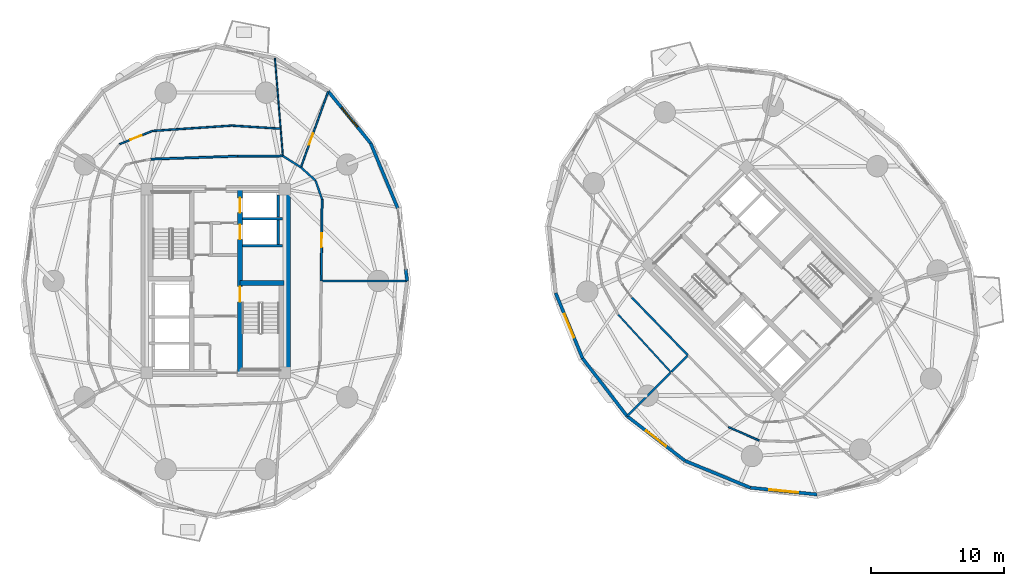
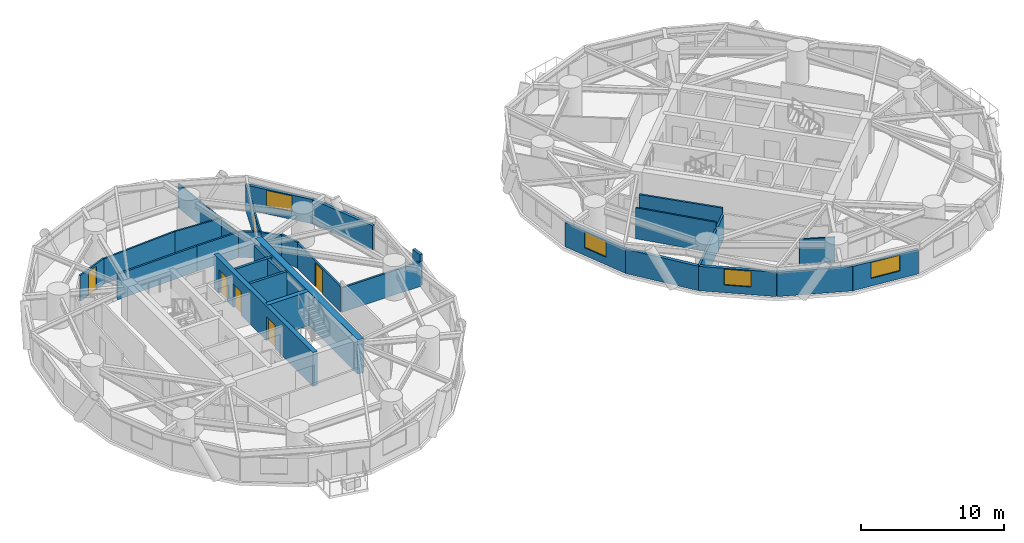
# One storey, part 9 of 15: 31 walls, 6 doors, 4 windows, 10 openings.
"""IFC4 building model written with IfcOpenShell, lengths in metres."""

from ifc_helpers import new_model, si_unit, direction, frame, frame_2d, origin, place, context, subcontext, project, spatial, rectangle, extrude, source, transform, mapped, material, layer, layer_set, type_object, element, fill, save


model = new_model("IFC4")

# Units and contexts
model_context = context("Model", 3, precision=1e-05, world=origin(), true_north=direction((0.0, 1.0)))
body_context = subcontext(model_context, "Body", "Model", "MODEL_VIEW")
ifc_project = project(units=[si_unit("LENGTHUNIT", "METRE"), si_unit("AREAUNIT", "SQUARE_METRE"), si_unit("VOLUMEUNIT", "CUBIC_METRE"), si_unit("PLANEANGLEUNIT", "RADIAN"), si_unit("MASSUNIT", "GRAM", prefix="KILO")], contexts=[model_context])

# Site, building, storey
site_placement = place(None, origin())
site = spatial("IfcSite", under=ifc_project, at=site_placement, CompositionType="ELEMENT")
building_placement = place(site_placement, origin())
building = spatial("IfcBuilding", under=site, at=building_placement, Name="Cununo Teusaquillo Station Towers", CompositionType="ELEMENT")
storey_placement = place(building_placement, frame((0.0, 0.0, 24.909912109375)))
storey = spatial("IfcBuildingStorey", under=building, at=storey_placement, Name="L06", CompositionType="ELEMENT", Elevation=24.909912109375)

# Walls
ifc_material_1 = material(Name="Concrete C50/60", Category="concrete")
ifc_layer_1 = layer(ifc_material_1, 0.199951171875)
ifc_layer_set_1 = layer_set([ifc_layer_1], Name="Concrete C50/60")
wall_type_1 = type_object("IfcWallType", Name="WL-CORE-200", PredefinedType="SHEAR", material=ifc_layer_set_1)
for number, where, z_axis, x_axis, name in (
    (1, (18.510009765625, 27.1298828125, 0.0), (0.0, 0.0, 1.0), (1.0, 0.0, 0.0), "L06 Tower A Low-Rise Lift Hoistway South Shear Wall"),
    (2, (18.510009765625, 29.175048828125, 0.0), (0.0, 0.0, 1.0), (1.0, 0.0, 0.0), "L06 Tower A Low-Rise Lift Hoistway Divider Shear Wall"),
):
    element("IfcWall", number, at=place(storey_placement, frame(where, z_axis=z_axis, x_axis=x_axis)), inside=storey, type_object=wall_type_1, Name=name, PredefinedType="SHEAR", context=body_context, shape_type="SweptSolid", body=[
        extrude(rectangle(XDim=2.969970703125, YDim=0.199951171875, at=frame_2d((1.48486328125, 0.0))), origin(), (0.0, 0.0, 1.0), 2.91015625),
    ])
wall_1_placement = place(storey_placement, frame((21.179931640625, 27.25, 0.0), z_axis=(0.0, 0.0, 1.0), x_axis=(0.0, 1.0, 0.0)))
element("IfcWall", 3, at=wall_1_placement, inside=storey, type_object=wall_type_1, Name="L06 Tower A Low-Rise Lift 1 Shaft Rear Shear Wall", PredefinedType="SHEAR", context=body_context, shape_type="SweptSolid", body=[
    extrude(rectangle(XDim=1.804931640625, YDim=0.199951171875, at=frame_2d((0.90234375, 0.0))), origin(), (0.0, 0.0, 1.0), 2.91015625),
])
wall_2_placement = place(storey_placement, frame((21.179931640625, 29.294921875, 0.0), z_axis=(0.0, 0.0, 1.0), x_axis=(0.0, 1.0, 0.0)))
element("IfcWall", 4, at=wall_2_placement, inside=storey, type_object=wall_type_1, Name="L06 Tower A Low-Rise Lift 2 Shaft Rear Shear Wall", PredefinedType="SHEAR", context=body_context, shape_type="SweptSolid", body=[
    extrude(rectangle(XDim=1.635009765625, YDim=0.199951171875, at=frame_2d((0.8173828125, 0.0))), origin(), (0.0, 0.0, 1.0), 2.91015625),
])

# Wall, openings, doors
ifc_material_2 = material(Name="Concrete C50/60", Category="concrete")
ifc_layer_2 = layer(ifc_material_2, 0.35009765625)
ifc_layer_set_2 = layer_set([ifc_layer_2], Name="Concrete C50/60")
wall_type_2 = type_object("IfcWallType", Name="WL-CORE-350", PredefinedType="SHEAR", material=ifc_layer_set_2)
wall_3_placement = place(storey_placement, frame((18.31494140625, 17.60009765625, 0.0), z_axis=(0.0, 0.0, 1.0), x_axis=(0.0, 1.0, 0.0)))
wall_3 = element("IfcWall", 5, at=wall_3_placement, inside=storey, type_object=wall_type_2, Name="L06 Tower A Core Shear Wall IE", PredefinedType="SHEAR", context=body_context, shape_type="SweptSolid", body=[
    extrude(rectangle(XDim=13.7998046875, YDim=0.35009765625, at=frame_2d((6.89990234375, 0.0))), origin(), (0.0, 0.0, 1.0), 2.91015625),
])
shared_shape_1 = source(origin(), body_context, "Body", "SweptSolid", [
    extrude(rectangle(XDim=1.10009765625, YDim=2.014892578125, at=frame_2d((0.550048828125, 1.00732421875))), frame((0.0, 0.18505859375, 0.0), z_axis=(0.0, -1.0, 0.0), x_axis=(1.0, 0.0, 0.0)), (0.0, 0.0, 1.0), 0.3701171875),
])
opening_1_placement = place(wall_3_placement, frame((10.02490234375, 0.0, 0.0)))
opening_1 = element("IfcOpeningElement", 6, at=opening_1_placement, cuts=wall_3, Name="Opening LD-01", PredefinedType="OPENING", context=body_context, shape_type="MappedRepresentation", body=[
    mapped(shared_shape_1, transform((0.0, 0.0, 0.0), x_axis=(1.0, 0.0, 0.0), y_axis=(0.0, 1.0, 0.0), z_axis=(0.0, 0.0, 1.0), scale=1.0)),
])
opening_2_placement = place(wall_3_placement, frame((12.02490234375, 0.0, 0.0)))
opening_2 = element("IfcOpeningElement", 7, at=opening_2_placement, cuts=wall_3, Name="Opening LD-01", PredefinedType="OPENING", context=body_context, shape_type="MappedRepresentation", body=[
    mapped(shared_shape_1, transform((0.0, 0.0, 0.0), x_axis=(1.0, 0.0, 0.0), y_axis=(0.0, 1.0, 0.0), z_axis=(0.0, 0.0, 1.0), scale=1.0)),
])
shared_shape_2 = source(origin(), body_context, "Body", "SweptSolid", [
    extrude(rectangle(XDim=1.14990234375, YDim=2.02001953125, at=frame_2d((0.574951171875, 1.010009765625))), frame((0.0, 0.18505859375, 0.0), z_axis=(0.0, -1.0, 0.0), x_axis=(1.0, 0.0, 0.0)), (0.0, 0.0, 1.0), 0.3701171875),
])
opening_3_placement = place(wall_3_placement, frame((5.330078125, 0.0, 0.0)))
opening_3 = element("IfcOpeningElement", 8, at=opening_3_placement, cuts=wall_3, Name="Opening D-ST1", PredefinedType="OPENING", context=body_context, shape_type="MappedRepresentation", body=[
    mapped(shared_shape_2, transform((0.0, 0.0, 0.0), x_axis=(1.0, 0.0, 0.0), y_axis=(0.0, 1.0, 0.0), z_axis=(0.0, 0.0, 1.0), scale=1.0)),
])
ifc_material_3 = material(Name="Galvanised fire-rated hollow steel door assembly", Category="steel")
door_type_1 = type_object("IfcDoorType", Name="DR-LIFT-1100", OperationType="SLIDING_TO_LEFT", PredefinedType="DOOR", material=ifc_material_3)
shared_shape_3 = source(origin(), body_context, "Body", "SweptSolid", [
    extrude(rectangle(XDim=1.10009765625, YDim=2.014892578125, at=frame_2d((0.550048828125, 1.00732421875))), frame((0.0, 0.02490234375, 0.0), z_axis=(0.0, -1.0, 0.0), x_axis=(1.0, 0.0, 0.0)), (0.0, 0.0, 1.0), 0.050048828125),
])
door_1_placement = place(opening_1_placement, origin())
door_1 = element("IfcDoor", 9, at=door_1_placement, inside=storey, type_object=door_type_1, Name="L06 Lift PL-T1-L1 Sliding Landing Door", OperationType="SLIDING_TO_RIGHT", OverallHeight=2.014892578125, OverallWidth=1.10009765625, PredefinedType="DOOR", context=body_context, shape_type="MappedRepresentation", body=[
    mapped(shared_shape_3, transform((0.0, 0.0, 0.0), x_axis=(1.0, 0.0, 0.0), y_axis=(0.0, 1.0, 0.0), z_axis=(0.0, 0.0, 1.0), scale=1.0)),
])
fill(opening_1, door_1)
door_2_placement = place(opening_2_placement, origin())
door_2 = element("IfcDoor", 10, at=door_2_placement, inside=storey, type_object=door_type_1, Name="L06 Lift PL-T1-L2 Sliding Landing Door", OperationType="SLIDING_TO_LEFT", OverallHeight=2.014892578125, OverallWidth=1.10009765625, PredefinedType="DOOR", context=body_context, shape_type="MappedRepresentation", body=[
    mapped(shared_shape_3, transform((0.0, 0.0, 0.0), x_axis=(1.0, 0.0, 0.0), y_axis=(0.0, 1.0, 0.0), z_axis=(0.0, 0.0, 1.0), scale=1.0)),
])
fill(opening_2, door_2)
ifc_material_4 = material(Name="Galvanised fire-rated hollow steel door assembly", Category="steel")
door_type_2 = type_object("IfcDoorType", Name="DR-STAIR-1150", OperationType="NOTDEFINED", PredefinedType="DOOR", material=ifc_material_4)
shared_shape_4 = source(origin(), body_context, "Body", "SweptSolid", [
    extrude(rectangle(XDim=1.14990234375, YDim=2.02001953125, at=frame_2d((0.574951171875, 1.010009765625))), frame((0.0, 0.02490234375, 0.0), z_axis=(0.0, -1.0, 0.0), x_axis=(1.0, 0.0, 0.0)), (0.0, 0.0, 1.0), 0.050048828125),
])
door_3_placement = place(opening_3_placement, origin())
door_3 = element("IfcDoor", 11, at=door_3_placement, inside=storey, type_object=door_type_2, Name="L06 Tower A Exit Stair 2 Fire Door", OperationType="SINGLE_SWING_LEFT", OverallHeight=2.02001953125, OverallWidth=1.14990234375, PredefinedType="DOOR", context=body_context, shape_type="MappedRepresentation", body=[
    mapped(shared_shape_4, transform((0.0, 0.0, 0.0), x_axis=(1.0, 0.0, 0.0), y_axis=(0.0, 1.0, 0.0), z_axis=(0.0, 0.0, 1.0), scale=1.0)),
])
fill(opening_3, door_3)

# Walls
wall_4_placement = place(storey_placement, frame((18.31494140625, 24.344970703125, 0.0), z_axis=(0.0, 0.0, 1.0), x_axis=(1.0, 0.0, 0.0)))
element("IfcWall", 12, at=wall_4_placement, inside=storey, type_object=wall_type_2, Name="L06 Tower A Core Shear Wall ST2N", PredefinedType="SHEAR", context=body_context, shape_type="SweptSolid", body=[
    extrude(rectangle(XDim=3.28515625, YDim=0.35009765625, at=frame_2d((1.642578125, 0.0))), origin(), (0.0, 0.0, 1.0), 2.91015625),
])
ifc_material_5 = material(Name="Concrete C60/75", Category="concrete")
ifc_layer_3 = layer(ifc_material_5, 0.5)
ifc_layer_set_3 = layer_set([ifc_layer_3], Name="Concrete C60/75")
wall_type_3 = type_object("IfcWallType", Name="WL-CORE-500", PredefinedType="SHEAR", material=ifc_layer_set_3)
wall_5_placement = place(storey_placement, frame((21.85009765625, 17.35009765625, 0.0), z_axis=(0.0, 0.0, 1.0), x_axis=(0.0, 1.0, 0.0)))
element("IfcWall", 13, at=wall_5_placement, inside=storey, type_object=wall_type_3, Name="L06 Tower A Core Shear Wall E", PredefinedType="SHEAR", context=body_context, shape_type="SweptSolid", body=[
    extrude(rectangle(XDim=14.2998046875, YDim=0.5, at=frame_2d((7.14990234375, 0.0))), origin(), (0.0, 0.0, 1.0), 2.91015625),
])
ifc_material_6 = material(Name="Precast concrete C40/50", Category="concrete")
ifc_layer_4 = layer(ifc_material_6, 0.239990234375)
ifc_layer_set_4 = layer_set([ifc_layer_4], Name="Precast concrete C40/50")
wall_type_4 = type_object("IfcWallType", Name="WL-EXT-240", PredefinedType="SOLIDWALL", material=ifc_layer_set_4)
wall_6_placement = place(storey_placement, frame((30.7392578125, 25.36279296875, 0.0), z_axis=(0.0, 0.0, 1.0), x_axis=(0.128523364007, -0.991706481225, 0.0)))
element("IfcWall", 14, at=wall_6_placement, inside=storey, type_object=wall_type_4, Name="L06 Tower A Column Pier Cladding Wall C00-PB", PredefinedType="SOLIDWALL", context=body_context, shape_type="SweptSolid", body=[
    extrude(rectangle(XDim=0.8701171875, YDim=0.239990234375, at=frame_2d((0.43505859375, 0.0))), origin(), (0.0, 0.0, 1.0), 2.635009765625),
])
wall_7_placement = place(storey_placement, frame((28.110107421875, 34.827392578125, 0.0), z_axis=(0.0, 0.0, 1.0), x_axis=(0.384255919668, -0.923226618009, 0.0)))
element("IfcWall", 15, at=wall_7_placement, inside=storey, type_object=wall_type_4, Name="L06 Tower A Exterior Facade Wall C01", PredefinedType="SOLIDWALL", context=body_context, shape_type="SweptSolid", body=[
    extrude(rectangle(XDim=5.30517578125, YDim=0.239990234375, at=frame_2d((2.652587890625, 0.0))), origin(), (0.0, 0.0, 1.0), 2.072998046875),
])

# Wall, opening, window
wall_8_placement = place(storey_placement, frame((24.935302734375, 38.71435546875, 0.0), z_axis=(0.0, 0.0, 1.0), x_axis=(0.632588557044, -0.774488035735, 0.0)))
wall_8 = element("IfcWall", 16, at=wall_8_placement, inside=storey, type_object=wall_type_4, Name="L06 Tower A Exterior Facade Wall C02", PredefinedType="SOLIDWALL", context=body_context, shape_type="SweptSolid", body=[
    extrude(rectangle(XDim=5.018798828125, YDim=0.239990234375, at=frame_2d((2.50927734375, 0.0))), origin(), (0.0, 0.0, 1.0), 2.072998046875),
])
shared_shape_5 = source(origin(), body_context, "Body", "SweptSolid", [
    extrude(rectangle(XDim=1.89990234375, YDim=1.35009765625, at=frame_2d((0.949951171875, 0.675048828125))), frame((0.0, 0.1298828125, 0.0), z_axis=(0.0, -1.0, 0.0), x_axis=(1.0, 0.0, 0.0)), (0.0, 0.0, 1.0), 0.260009765625),
])
opening_4_placement = place(wall_8_placement, frame((1.55908203125, 0.0, 0.64990234375)))
opening_4 = element("IfcOpeningElement", 17, at=opening_4_placement, cuts=wall_8, Name="Opening WN-02", PredefinedType="OPENING", context=body_context, shape_type="MappedRepresentation", body=[
    mapped(shared_shape_5, transform((0.0, 0.0, 0.0), x_axis=(1.0, 0.0, 0.0), y_axis=(0.0, 1.0, 0.0), z_axis=(0.0, 0.0, 1.0), scale=1.0)),
])
ifc_material_7 = material(Name="Operable acoustic tinted low-E double glazing", Category="glass")
window_type_1 = type_object("IfcWindowType", Name="WIN-OPER-1900", PartitioningType="DOUBLE_PANEL_VERTICAL", PredefinedType="WINDOW", material=ifc_material_7)
shared_shape_6 = source(origin(), body_context, "Body", "SweptSolid", [
    extrude(rectangle(XDim=1.89990234375, YDim=1.35009765625, at=frame_2d((0.949951171875, 0.675048828125))), frame((0.0, 0.030029296875, 0.0), z_axis=(0.0, -1.0, 0.0), x_axis=(1.0, 0.0, 0.0)), (0.0, 0.0, 1.0), 0.06005859375),
])
window_1_placement = place(opening_4_placement, origin())
window_1 = element("IfcWindow", 18, at=window_1_placement, inside=storey, type_object=window_type_1, Name="L06 Tower A Facade Window C02", OverallHeight=1.35009765625, OverallWidth=1.89990234375, PartitioningType="DOUBLE_PANEL_VERTICAL", PredefinedType="WINDOW", context=body_context, shape_type="MappedRepresentation", body=[
    mapped(shared_shape_6, transform((0.0, 0.0, 0.0), x_axis=(1.0, 0.0, 0.0), y_axis=(0.0, 1.0, 0.0), z_axis=(0.0, 0.0, 1.0), scale=1.0)),
])
fill(opening_4, window_1)

wall_9_placement = place(storey_placement, frame((44.009765625, 18.68798828125, 0.0), z_axis=(0.0, 0.0, 1.0), x_axis=(-0.381113147118, 0.924528403616, 0.0)))
wall_9 = element("IfcWall", 19, at=wall_9_placement, inside=storey, type_object=wall_type_4, Name="L06 Tower B Exterior Facade Wall C08", PredefinedType="SOLIDWALL", context=body_context, shape_type="SweptSolid", body=[
    extrude(rectangle(XDim=5.305419921875, YDim=0.239990234375, at=frame_2d((2.65283203125, 0.0))), origin(), (0.0, 0.0, 1.0), 2.072998046875),
])
opening_5_placement = place(wall_9_placement, frame((1.702880859375, 0.0, 0.64990234375)))
opening_5 = element("IfcOpeningElement", 20, at=opening_5_placement, cuts=wall_9, Name="Opening WN-02", PredefinedType="OPENING", context=body_context, shape_type="MappedRepresentation", body=[
    mapped(shared_shape_5, transform((0.0, 0.0, 0.0), x_axis=(1.0, 0.0, 0.0), y_axis=(0.0, 1.0, 0.0), z_axis=(0.0, 0.0, 1.0), scale=1.0)),
])
window_2_placement = place(opening_5_placement, origin())
window_2 = element("IfcWindow", 21, at=window_2_placement, inside=storey, type_object=window_type_1, Name="L06 Tower B Facade Window C08", OverallHeight=1.35009765625, OverallWidth=1.89990234375, PartitioningType="DOUBLE_PANEL_VERTICAL", PredefinedType="WINDOW", context=body_context, shape_type="MappedRepresentation", body=[
    mapped(shared_shape_6, transform((0.0, 0.0, 0.0), x_axis=(1.0, 0.0, 0.0), y_axis=(0.0, 1.0, 0.0), z_axis=(0.0, 0.0, 1.0), scale=1.0)),
])
fill(opening_5, window_2)

# Wall
wall_10_placement = place(storey_placement, frame((47.352294921875, 14.352294921875, 0.0), z_axis=(0.0, 0.0, 1.0), x_axis=(-0.610557396243, 0.791972010801, 0.0)))
element("IfcWall", 22, at=wall_10_placement, inside=storey, type_object=wall_type_4, Name="L06 Tower B Exterior Facade Wall C09", PredefinedType="SOLIDWALL", context=body_context, shape_type="SweptSolid", body=[
    extrude(rectangle(XDim=5.474609375, YDim=0.239990234375, at=frame_2d((2.7373046875, 0.0))), origin(), (0.0, 0.0, 1.0), 2.072998046875),
])

# Wall, opening, window
wall_11_placement = place(storey_placement, frame((51.68798828125, 11.009765625, 0.0), z_axis=(0.0, 0.0, 1.0), x_axis=(-0.791972010801, 0.610557396243, 0.0)))
wall_11 = element("IfcWall", 23, at=wall_11_placement, inside=storey, type_object=wall_type_4, Name="L06 Tower B Exterior Facade Wall C10", PredefinedType="SOLIDWALL", context=body_context, shape_type="SweptSolid", body=[
    extrude(rectangle(XDim=5.474609375, YDim=0.239990234375, at=frame_2d((2.7373046875, 0.0))), origin(), (0.0, 0.0, 1.0), 2.072998046875),
])
opening_6_placement = place(wall_11_placement, frame((1.787109375, 0.0, 0.64990234375)))
opening_6 = element("IfcOpeningElement", 24, at=opening_6_placement, cuts=wall_11, Name="Opening WN-02", PredefinedType="OPENING", context=body_context, shape_type="MappedRepresentation", body=[
    mapped(shared_shape_5, transform((0.0, 0.0, 0.0), x_axis=(1.0, 0.0, 0.0), y_axis=(0.0, 1.0, 0.0), z_axis=(0.0, 0.0, 1.0), scale=1.0)),
])
window_3_placement = place(opening_6_placement, origin())
window_3 = element("IfcWindow", 25, at=window_3_placement, inside=storey, type_object=window_type_1, Name="L06 Tower B Facade Window C10", OverallHeight=1.35009765625, OverallWidth=1.89990234375, PartitioningType="DOUBLE_PANEL_VERTICAL", PredefinedType="WINDOW", context=body_context, shape_type="MappedRepresentation", body=[
    mapped(shared_shape_6, transform((0.0, 0.0, 0.0), x_axis=(1.0, 0.0, 0.0), y_axis=(0.0, 1.0, 0.0), z_axis=(0.0, 0.0, 1.0), scale=1.0)),
])
fill(opening_6, window_3)

# Wall
wall_12_placement = place(storey_placement, frame((56.593017578125, 8.98779296875, 0.0), z_axis=(0.0, 0.0, 1.0), x_axis=(-0.924528403616, 0.381113147118, 0.0)))
element("IfcWall", 26, at=wall_12_placement, inside=storey, type_object=wall_type_4, Name="L06 Tower B Exterior Facade Wall C11", PredefinedType="SOLIDWALL", context=body_context, shape_type="SweptSolid", body=[
    extrude(rectangle(XDim=5.305419921875, YDim=0.239990234375, at=frame_2d((2.65283203125, 0.0))), origin(), (0.0, 0.0, 1.0), 2.072998046875),
])

# Wall, opening, window
wall_13_placement = place(storey_placement, frame((61.58642578125, 8.484130859375, 0.0), z_axis=(0.0, 0.0, 1.0), x_axis=(-0.994951574538, 0.100356187272, 0.0)))
wall_13 = element("IfcWall", 27, at=wall_13_placement, inside=storey, type_object=wall_type_4, Name="L06 Tower B Exterior Facade Wall C12", PredefinedType="SOLIDWALL", context=body_context, shape_type="SweptSolid", body=[
    extrude(rectangle(XDim=5.018798828125, YDim=0.239990234375, at=frame_2d((2.50927734375, 0.0))), origin(), (0.0, 0.0, 1.0), 2.072998046875),
])
shared_shape_7 = source(origin(), body_context, "Body", "SweptSolid", [
    extrude(rectangle(XDim=2.199951171875, YDim=1.35009765625, at=frame_2d((1.10009765625, 0.675048828125))), frame((0.0, 0.1298828125, 0.0), z_axis=(0.0, -1.0, 0.0), x_axis=(1.0, 0.0, 0.0)), (0.0, 0.0, 1.0), 0.260009765625),
])
opening_7_placement = place(wall_13_placement, frame((1.408935546875, 0.0, 0.64990234375)))
opening_7 = element("IfcOpeningElement", 28, at=opening_7_placement, cuts=wall_13, Name="Opening WN-01", PredefinedType="OPENING", context=body_context, shape_type="MappedRepresentation", body=[
    mapped(shared_shape_7, transform((0.0, 0.0, 0.0), x_axis=(1.0, 0.0, 0.0), y_axis=(0.0, 1.0, 0.0), z_axis=(0.0, 0.0, 1.0), scale=1.0)),
])
ifc_material_8 = material(Name="Ceramic-fritted dark low-E double glazing", Category="glass")
window_type_2 = type_object("IfcWindowType", Name="WIN-FRIT-2200", PartitioningType="DOUBLE_PANEL_VERTICAL", PredefinedType="WINDOW", material=ifc_material_8)
shared_shape_8 = source(origin(), body_context, "Body", "SweptSolid", [
    extrude(rectangle(XDim=2.199951171875, YDim=1.35009765625, at=frame_2d((1.10009765625, 0.675048828125))), frame((0.0, 0.030029296875, 0.0), z_axis=(0.0, -1.0, 0.0), x_axis=(1.0, 0.0, 0.0)), (0.0, 0.0, 1.0), 0.06005859375),
])
window_4_placement = place(opening_7_placement, origin())
window_4 = element("IfcWindow", 29, at=window_4_placement, inside=storey, type_object=window_type_2, Name="L06 Tower B Facade Window C12", OverallHeight=1.35009765625, OverallWidth=2.199951171875, PartitioningType="DOUBLE_PANEL_VERTICAL", PredefinedType="WINDOW", context=body_context, shape_type="MappedRepresentation", body=[
    mapped(shared_shape_8, transform((0.0, 0.0, 0.0), x_axis=(1.0, 0.0, 0.0), y_axis=(0.0, 1.0, 0.0), z_axis=(0.0, 0.0, 1.0), scale=1.0)),
])
fill(opening_7, window_4)

# Wall
ifc_material_9 = material(Name="Fire-rated gypsum plasterboard partition assembly", Category="gypsum")
ifc_layer_5 = layer(ifc_material_9, 0.10009765625)
ifc_layer_set_5 = layer_set([ifc_layer_5], Name="Fire-rated gypsum plasterboard partition assembly")
wall_type_5 = type_object("IfcWallType", Name="WL-PART-100", PredefinedType="MOVABLE", material=ifc_layer_set_5)
wall_14_placement = place(storey_placement, frame((21.52685546875, 33.873291015625, 0.0), z_axis=(0.0, 0.0, 1.0), x_axis=(-0.081501553037, 0.996673214676, 0.0)))
element("IfcWall", 30, at=wall_14_placement, inside=storey, type_object=wall_type_5, Name="L06 Tower A Radial Suite Partition R02", PredefinedType="MOVABLE", context=body_context, shape_type="SweptSolid", body=[
    extrude(rectangle(XDim=7.342041015625, YDim=0.10009765625, at=frame_2d((3.6708984375, 0.0))), origin(), (0.0, 0.0, 1.0), 2.072998046875),
])

# Wall, opening, door
ifc_material_10 = material(Name="Fire-rated gypsum plasterboard partition assembly", Category="gypsum")
ifc_layer_6 = layer(ifc_material_10, 0.125)
ifc_layer_set_6 = layer_set([ifc_layer_6], Name="Fire-rated gypsum plasterboard partition assembly")
wall_type_6 = type_object("IfcWallType", Name="WL-PART-125", PredefinedType="PARTITIONING", material=ifc_layer_set_6)
wall_15_placement = place(storey_placement, frame((22.87744140625, 33.021728515625, 0.0), z_axis=(0.0, 0.0, 1.0), x_axis=(0.339100549831, 0.94075013532, 0.0)))
wall_15 = element("IfcWall", 31, at=wall_15_placement, inside=storey, type_object=wall_type_6, Name="L06 Tower A Grand Conference Salon Suite Subdividing Wall", PredefinedType="PARTITIONING", context=body_context, shape_type="SweptSolid", body=[
    extrude(rectangle(XDim=6.033935546875, YDim=0.125, at=frame_2d((3.01708984375, 0.0))), origin(), (0.0, 0.0, 1.0), 2.072998046875),
])
shared_shape_9 = source(origin(), body_context, "Body", "SweptSolid", [
    extrude(rectangle(XDim=0.89990234375, YDim=2.0048828125, at=frame_2d((0.449951171875, 1.00244140625))), frame((0.0, 0.072509765625, 0.0), z_axis=(0.0, -1.0, 0.0), x_axis=(1.0, 0.0, 0.0)), (0.0, 0.0, 1.0), 0.14501953125),
])
opening_8_placement = place(wall_15_placement, frame((1.800048828125, 0.0, 0.0)))
opening_8 = element("IfcOpeningElement", 32, at=opening_8_placement, cuts=wall_15, Name="Opening D-IN1", PredefinedType="OPENING", context=body_context, shape_type="MappedRepresentation", body=[
    mapped(shared_shape_9, transform((0.0, 0.0, 0.0), x_axis=(1.0, 0.0, 0.0), y_axis=(0.0, 1.0, 0.0), z_axis=(0.0, 0.0, 1.0), scale=1.0)),
])
ifc_material_11 = material(Name="Acoustic solid-core hardwood leaf assembly", Category="wood")
door_type_3 = type_object("IfcDoorType", Name="DR-INT-900", OperationType="NOTDEFINED", PredefinedType="DOOR", material=ifc_material_11)
shared_shape_10 = source(origin(), body_context, "Body", "SweptSolid", [
    extrude(rectangle(XDim=0.89990234375, YDim=2.0048828125, at=frame_2d((0.449951171875, 1.00244140625))), frame((0.0, 0.02490234375, 0.0), z_axis=(0.0, -1.0, 0.0), x_axis=(1.0, 0.0, 0.0)), (0.0, 0.0, 1.0), 0.050048828125),
])
door_4_placement = place(opening_8_placement, origin())
door_4 = element("IfcDoor", 33, at=door_4_placement, inside=storey, type_object=door_type_3, Name="L06 Tower A Grand Conference Salon Suite Connecting Door", OperationType="SINGLE_SWING_LEFT", OverallHeight=2.0048828125, OverallWidth=0.89990234375, PredefinedType="DOOR", context=body_context, shape_type="MappedRepresentation", body=[
    mapped(shared_shape_10, transform((0.0, 0.0, 0.0), x_axis=(1.0, 0.0, 0.0), y_axis=(0.0, 1.0, 0.0), z_axis=(0.0, 0.0, 1.0), scale=1.0)),
])
fill(opening_8, door_4)

# Walls
wall_16_placement = place(storey_placement, frame((21.359375, 35.92236328125, 0.0), z_axis=(0.0, 0.0, 1.0), x_axis=(-0.998040956573, 0.062563959294, 0.0)))
element("IfcWall", 34, at=wall_16_placement, inside=storey, type_object=wall_type_6, Name="L06 Tower A Simultaneous Interpretation Hall Concentric Partition Wall C04", PredefinedType="PARTITIONING", context=body_context, shape_type="SweptSolid", body=[
    extrude(rectangle(XDim=3.683837890625, YDim=0.125, at=frame_2d((1.841796875, 0.0))), origin(), (0.0, 0.0, 1.0), 2.1591796875),
])
wall_17_placement = place(storey_placement, frame((17.682861328125, 36.15283203125, 0.0), z_axis=(0.0, 0.0, 1.0), x_axis=(-0.997730540088, -0.067333270944, 0.0)))
element("IfcWall", 35, at=wall_17_placement, inside=storey, type_object=wall_type_6, Name="L06 Tower A Simultaneous Interpretation Hall Concentric Partition Wall C05", PredefinedType="PARTITIONING", context=body_context, shape_type="SweptSolid", body=[
    extrude(rectangle(XDim=5.949951171875, YDim=0.125, at=frame_2d((2.97509765625, 0.0))), origin(), (0.0, 0.0, 1.0), 2.1591796875),
])

# Wall, opening, door
wall_18_placement = place(storey_placement, frame((11.746337890625, 35.752197265625, 0.0), z_axis=(0.0, 0.0, 1.0), x_axis=(-0.928091790064, -0.372351486119, 0.0)))
wall_18 = element("IfcWall", 36, at=wall_18_placement, inside=storey, type_object=wall_type_6, Name="L06 Tower A Simultaneous Interpretation Hall Concentric Partition Wall C06", PredefinedType="PARTITIONING", context=body_context, shape_type="SweptSolid", body=[
    extrude(rectangle(XDim=2.671875, YDim=0.125, at=frame_2d((1.3359375, 0.0))), origin(), (0.0, 0.0, 1.0), 2.205078125),
])
opening_9_placement = place(wall_18_placement, frame((0.885986328125, 0.0, 0.0)))
opening_9 = element("IfcOpeningElement", 37, at=opening_9_placement, cuts=wall_18, Name="Opening D-IN1", PredefinedType="OPENING", context=body_context, shape_type="MappedRepresentation", body=[
    mapped(shared_shape_9, transform((0.0, 0.0, 0.0), x_axis=(1.0, 0.0, 0.0), y_axis=(0.0, 1.0, 0.0), z_axis=(0.0, 0.0, 1.0), scale=1.0)),
])
door_5_placement = place(opening_9_placement, origin())
door_5 = element("IfcDoor", 38, at=door_5_placement, inside=storey, type_object=door_type_3, Name="L06 Tower A Simultaneous Interpretation Hall Connecting Door", OperationType="SINGLE_SWING_LEFT", OverallHeight=2.0048828125, OverallWidth=0.89990234375, PredefinedType="DOOR", context=body_context, shape_type="MappedRepresentation", body=[
    mapped(shared_shape_10, transform((0.0, 0.0, 0.0), x_axis=(1.0, 0.0, 0.0), y_axis=(0.0, 1.0, 0.0), z_axis=(0.0, 0.0, 1.0), scale=1.0)),
])
fill(opening_9, door_5)

# Walls
wall_19_placement = place(storey_placement, frame((46.67578125, 21.9775390625, 0.0), z_axis=(0.0, 0.0, 1.0), x_axis=(0.67473816271, -0.738057187339, 0.0)))
element("IfcWall", 39, at=wall_19_placement, inside=storey, type_object=wall_type_6, Name="L06 Tower B Press & Broadcast Briefing Hall Concentric Partition Wall C09", PredefinedType="PARTITIONING", context=body_context, shape_type="SweptSolid", body=[
    extrude(rectangle(XDim=5.876220703125, YDim=0.125, at=frame_2d((2.93798828125, 0.0))), origin(), (0.0, 0.0, 1.0), 2.635009765625),
])
wall_20_placement = place(storey_placement, frame((54.958984375, 13.537109375, 0.0), z_axis=(0.0, 0.0, 1.0), x_axis=(0.915414044123, -0.402513512596, 0.0)))
element("IfcWall", 40, at=wall_20_placement, inside=storey, type_object=wall_type_6, Name="L06 Tower B Hospitality Pre-Function Lounge Concentric Partition Wall C11", PredefinedType="PARTITIONING", context=body_context, shape_type="SweptSolid", body=[
    extrude(rectangle(XDim=2.508056640625, YDim=0.125, at=frame_2d((1.25390625, 0.0))), origin(), (0.0, 0.0, 1.0), 2.1591796875),
])

# Wall, opening, door
ifc_material_12 = material(Name="Fire-rated gypsum plasterboard partition assembly", Category="gypsum")
ifc_layer_7 = layer(ifc_material_12, 0.14990234375)
ifc_layer_set_7 = layer_set([ifc_layer_7], Name="Fire-rated gypsum plasterboard partition assembly")
wall_type_7 = type_object("IfcWallType", Name="WL-PART-150", PredefinedType="PARTITIONING", material=ifc_layer_set_7)
wall_21_placement = place(storey_placement, frame((24.39990234375, 24.5, 0.0), z_axis=(0.0, 0.0, 1.0), x_axis=(0.011299841544, 0.999936154752, 0.0)))
wall_21 = element("IfcWall", 41, at=wall_21_placement, inside=storey, type_object=wall_type_7, Name="L06 Tower A Corridor Ring Wall C00", PredefinedType="PARTITIONING", context=body_context, shape_type="SweptSolid", body=[
    extrude(rectangle(XDim=6.114501953125, YDim=0.14990234375, at=frame_2d((3.05712890625, 0.0))), origin(), (0.0, 0.0, 1.0), 2.1591796875),
])
shared_shape_11 = source(origin(), body_context, "Body", "SweptSolid", [
    extrude(rectangle(XDim=1.050048828125, YDim=2.014892578125, at=frame_2d((0.52490234375, 1.00732421875))), frame((0.0, 0.0849609375, 0.0), z_axis=(0.0, -1.0, 0.0), x_axis=(1.0, 0.0, 0.0)), (0.0, 0.0, 1.0), 0.169921875),
])
opening_10_placement = place(wall_21_placement, frame((2.5322265625, 0.0, 0.0)))
opening_10 = element("IfcOpeningElement", 42, at=opening_10_placement, cuts=wall_21, Name="Opening D-SU1", PredefinedType="OPENING", context=body_context, shape_type="MappedRepresentation", body=[
    mapped(shared_shape_11, transform((0.0, 0.0, 0.0), x_axis=(1.0, 0.0, 0.0), y_axis=(0.0, 1.0, 0.0), z_axis=(0.0, 0.0, 1.0), scale=1.0)),
])
ifc_material_13 = material(Name="Acoustic solid-core hardwood leaf assembly", Category="wood")
door_type_4 = type_object("IfcDoorType", Name="DR-SUITE-1050", OperationType="NOTDEFINED", PredefinedType="DOOR", material=ifc_material_13)
shared_shape_12 = source(origin(), body_context, "Body", "SweptSolid", [
    extrude(rectangle(XDim=1.050048828125, YDim=2.014892578125, at=frame_2d((0.52490234375, 1.00732421875))), frame((0.0, 0.02490234375, 0.0), z_axis=(0.0, -1.0, 0.0), x_axis=(1.0, 0.0, 0.0)), (0.0, 0.0, 1.0), 0.050048828125),
])
door_6_placement = place(opening_10_placement, origin())
door_6 = element("IfcDoor", 43, at=door_6_placement, inside=storey, type_object=door_type_4, Name="L06 Tower A Grand Conference Salon Entrance Door", OperationType="SINGLE_SWING_RIGHT", OverallHeight=2.014892578125, OverallWidth=1.050048828125, PredefinedType="DOOR", context=body_context, shape_type="MappedRepresentation", body=[
    mapped(shared_shape_12, transform((0.0, 0.0, 0.0), x_axis=(1.0, 0.0, 0.0), y_axis=(0.0, 1.0, 0.0), z_axis=(0.0, 0.0, 1.0), scale=1.0)),
])
fill(opening_10, door_6)

# Walls
wall_22_placement = place(storey_placement, frame((24.468994140625, 30.614013671875, 0.0), z_axis=(0.0, 0.0, 1.0), x_axis=(-0.327228335485, 0.944945298129, 0.0)))
element("IfcWall", 44, at=wall_22_placement, inside=storey, type_object=wall_type_7, Name="L06 Tower A Corridor Ring Wall C01", PredefinedType="PARTITIONING", context=body_context, shape_type="SweptSolid", body=[
    extrude(rectangle(XDim=1.4951171875, YDim=0.14990234375, at=frame_2d((0.74755859375, 0.0))), origin(), (0.0, 0.0, 1.0), 2.205078125),
])
wall_23_placement = place(storey_placement, frame((23.979736328125, 32.02685546875, 0.0), z_axis=(0.0, 0.0, 1.0), x_axis=(-0.742353224332, 0.670008724065, 0.0)))
element("IfcWall", 45, at=wall_23_placement, inside=storey, type_object=wall_type_7, Name="L06 Tower A Corridor Ring Wall C02", PredefinedType="PARTITIONING", context=body_context, shape_type="SweptSolid", body=[
    extrude(rectangle(XDim=1.48486328125, YDim=0.14990234375, at=frame_2d((0.742431640625, 0.0))), origin(), (0.0, 0.0, 1.0), 2.1591796875),
])
wall_24_placement = place(storey_placement, frame((22.87744140625, 33.021728515625, 0.0), z_axis=(0.0, 0.0, 1.0), x_axis=(-0.845895608855, 0.533348496689, 0.0)))
element("IfcWall", 46, at=wall_24_placement, inside=storey, type_object=wall_type_7, Name="L06 Tower A Corridor Ring Wall C03", PredefinedType="PARTITIONING", context=body_context, shape_type="SweptSolid", body=[
    extrude(rectangle(XDim=1.5966796875, YDim=0.14990234375, at=frame_2d((0.79833984375, 0.0))), origin(), (0.0, 0.0, 1.0), 2.205078125),
])
wall_25_placement = place(storey_placement, frame((21.52685546875, 33.873291015625, 0.0), z_axis=(0.0, 0.0, 1.0), x_axis=(-0.999991838845, -0.004040079574, 0.0)))
element("IfcWall", 47, at=wall_25_placement, inside=storey, type_object=wall_type_7, Name="L06 Tower A Corridor Ring Wall C04", PredefinedType="PARTITIONING", context=body_context, shape_type="SweptSolid", body=[
    extrude(rectangle(XDim=3.384033203125, YDim=0.14990234375, at=frame_2d((1.69189453125, 0.0))), origin(), (0.0, 0.0, 1.0), 2.1591796875),
])
wall_26_placement = place(storey_placement, frame((18.142822265625, 33.859619140625, 0.0), z_axis=(0.0, 0.0, 1.0), x_axis=(-0.999419208319, -0.034077060363, 0.0)))
element("IfcWall", 48, at=wall_26_placement, inside=storey, type_object=wall_type_7, Name="L06 Tower A Corridor Ring Wall C05", PredefinedType="PARTITIONING", context=body_context, shape_type="SweptSolid", body=[
    extrude(rectangle(XDim=6.52685546875, YDim=0.14990234375, at=frame_2d((3.263427734375, 0.0))), origin(), (0.0, 0.0, 1.0), 2.1591796875),
])
wall_27_placement = place(storey_placement, frame((47.70556640625, 23.253173828125, 0.0), z_axis=(0.0, 0.0, 1.0), x_axis=(0.696179266346, -0.717867974707, 0.0)))
element("IfcWall", 49, at=wall_27_placement, inside=storey, type_object=wall_type_7, Name="L06 Tower B Corridor Ring Wall C09", PredefinedType="PARTITIONING", context=body_context, shape_type="SweptSolid", body=[
    extrude(rectangle(XDim=6.044677734375, YDim=0.14990234375, at=frame_2d((3.0224609375, 0.0))), origin(), (0.0, 0.0, 1.0), 2.635009765625),
])
ifc_material_14 = material(Name="Fire-rated gypsum plasterboard partition assembly", Category="gypsum")
ifc_layer_8 = layer(ifc_material_14, 0.159912109375)
ifc_layer_set_8 = layer_set([ifc_layer_8], Name="Fire-rated gypsum plasterboard partition assembly")
wall_type_8 = type_object("IfcWallType", Name="WL-PART-160", PredefinedType="PARTITIONING", material=ifc_layer_set_8)
wall_28_placement = place(storey_placement, frame((24.39990234375, 24.5, 0.0), z_axis=(0.0, 0.0, 1.0), x_axis=(1.0, 0.0, 0.0)))
element("IfcWall", 50, at=wall_28_placement, inside=storey, type_object=wall_type_8, Name="L06 Tower A Radial Suite Partition R01", PredefinedType="PARTITIONING", context=body_context, shape_type="SweptSolid", body=[
    extrude(rectangle(XDim=6.43115234375, YDim=0.159912109375, at=frame_2d((3.215576171875, 0.0))), origin(), (0.0, 0.0, 1.0), 2.072998046875),
])
wall_29_placement = place(storey_placement, frame((51.913818359375, 18.913818359375, 0.0), z_axis=(0.0, 0.0, 1.0), x_axis=(-0.707106781187, -0.707106781187, 0.0)))
element("IfcWall", 51, at=wall_29_placement, inside=storey, type_object=wall_type_8, Name="L06 Tower B Radial Suite Partition R03", PredefinedType="PARTITIONING", context=body_context, shape_type="SweptSolid", body=[
    extrude(rectangle(XDim=6.430908203125, YDim=0.159912109375, at=frame_2d((3.21533203125, 0.0))), origin(), (0.0, 0.0, 1.0), 2.072998046875),
])

save(model, "model.ifc")
